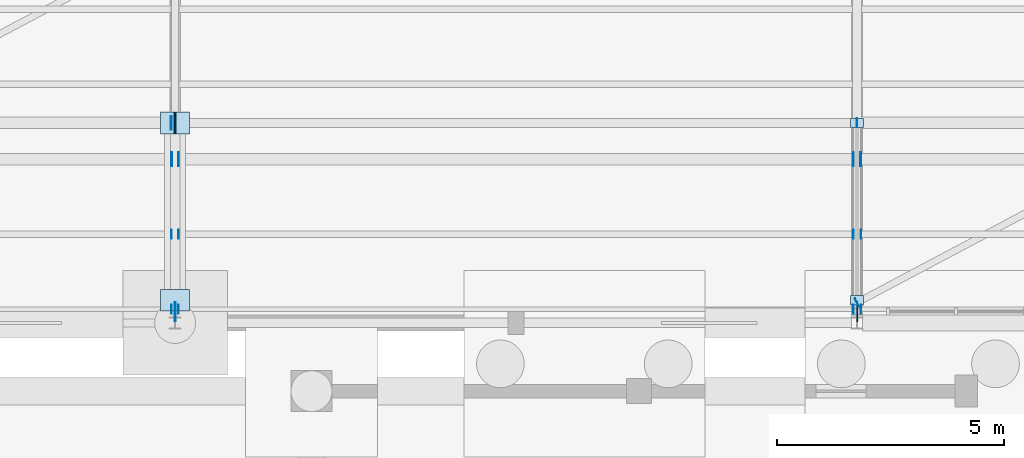
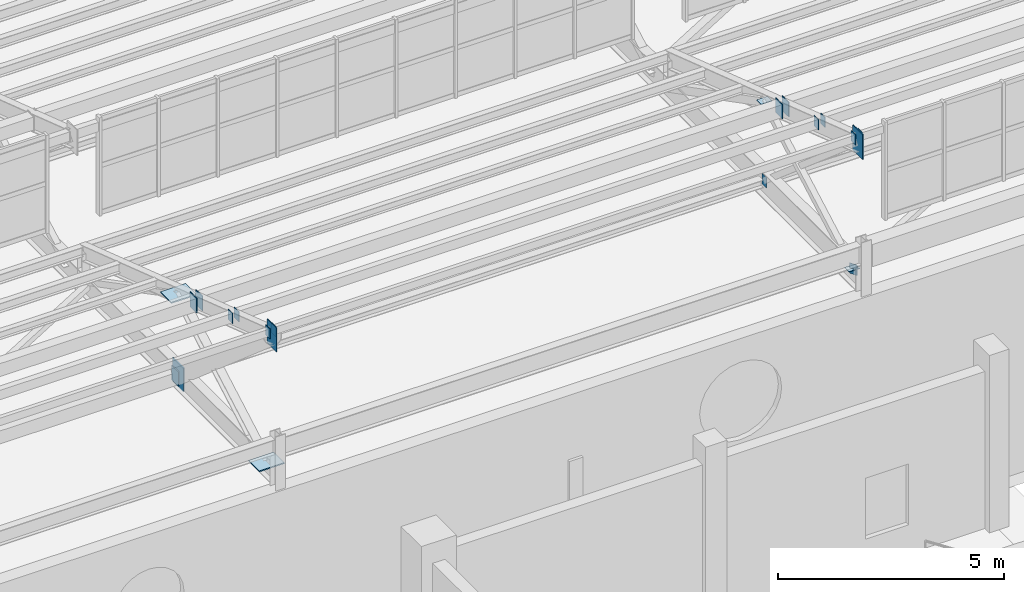
# One storey, part 192 of 285: 22 plates.
"""IFC4 building model written with IfcOpenShell, lengths in metres."""

from ifc_helpers import new_model, si_unit, direction, frame, origin, origin_2d, place, context, subcontext, project, spatial, rectangle, extrude, material, layer, layer_set, type_object, element, save


model = new_model("IFC4")

# Units and contexts
model_context = context("Model", 3, precision=1e-05, world=origin(), true_north=direction((0.0, 1.0)))
body_context = subcontext(model_context, "Body", "Model", "MODEL_VIEW")
ifc_project = project(units=[si_unit("LENGTHUNIT", "METRE"), si_unit("AREAUNIT", "SQUARE_METRE"), si_unit("VOLUMEUNIT", "CUBIC_METRE"), si_unit("PLANEANGLEUNIT", "RADIAN"), si_unit("MASSUNIT", "GRAM", prefix="KILO")], contexts=[model_context])

# Site, building, storey
site_placement = place(None, origin())
site = spatial("IfcSite", under=ifc_project, at=site_placement, CompositionType="ELEMENT")
building_placement = place(site_placement, origin())
building = spatial("IfcBuilding", under=site, at=building_placement, Name="Solanera Park Tramway Depot", CompositionType="ELEMENT")
storey_placement = place(building_placement, origin())
storey = spatial("IfcBuildingStorey", under=building, at=storey_placement, Name="L00", CompositionType="ELEMENT", Elevation=0.0)

# Plates
ifc_material_1 = material(Name="Steel AS/NZS 3679.1 Grade 350", Category="steel")
ifc_layer_1 = layer(ifc_material_1, 0.013916015625)
ifc_layer_set_1 = layer_set([ifc_layer_1], Name="Steel AS/NZS 3679.1 Grade 350")
plate_type_1 = type_object("IfcPlateType", Name="Hollow End Cap and Base Plate 280x200x14", PredefinedType="USERDEFINED", material=ifc_layer_set_1)
plate_1_placement = place(storey_placement, frame((120.0, 59.89990234375, 6.35986328125), z_axis=(0.0, 0.0, 1.0), x_axis=(1.0, 0.0, 0.0)))
element("IfcPlate", 1, at=plate_1_placement, inside=storey, type_object=plate_type_1, Name="Sawtooth Truss Hollow End Cap #0108", ObjectType="BASE PLATE", PredefinedType="USERDEFINED", context=body_context, shape_type="SweptSolid", body=[
    extrude(rectangle(XDim=0.013916015625, YDim=0.199951171875, at=origin_2d()), origin(), (0.0, 0.0, 1.0), 0.280029296875),
])
for number, where, z_axis, x_axis, name in (
    (2, (120.0, 59.89990234375, 8.66064453125), (0.0, 0.0, 1.0), (1.0, 0.0, 0.0), "Sawtooth Truss Node Cap Plate #0110"),
    (3, (120.0, 56.0, 6.4931640625), (0.0, 0.0, 1.0), (1.0, 0.0, 0.0), "Sawtooth Truss Node Cap Plate #0111"),
):
    element("IfcPlate", number, at=place(storey_placement, frame(where, z_axis=z_axis, x_axis=x_axis)), inside=storey, type_object=plate_type_1, Name=name, ObjectType="BASE PLATE", PredefinedType="USERDEFINED", context=body_context, shape_type="SweptSolid", body=[
        extrude(rectangle(XDim=0.280029296875, YDim=0.199951171875, at=origin_2d()), origin(), (0.0, 0.0, 1.0), 0.013916015625),
    ])
for number, where, z_axis, x_axis, name in (
    (4, (104.922119140625, 55.800048828125, 10.033203125), (0.0, 0.0, 1.0), (1.0, 0.0, 0.0), "Hollow Section Welded End Cap Plate #0128"),
    (5, (105.077880859375, 55.800048828125, 10.033203125), (0.0, 0.0, 1.0), (1.0, 0.0, 0.0), "Hollow Section Welded End Cap Plate #0129"),
    (6, (119.915771484375, 55.800048828125, 10.033203125), (0.0, 0.0, 1.0), (1.0, 0.0, 0.0), "Hollow Section Welded End Cap Plate #0130"),
    (7, (120.084228515625, 55.800048828125, 10.033203125), (0.0, 0.0, 1.0), (1.0, 0.0, 0.0), "Hollow Section Welded End Cap Plate #0131"),
    (8, (104.922119140625, 57.449951171875, 9.44775390625), (0.0, 0.0, 1.0), (1.0, 0.0, 0.0), "Hollow Section Welded End Cap Plate #0144"),
    (9, (105.077880859375, 57.449951171875, 9.44775390625), (0.0, 0.0, 1.0), (1.0, 0.0, 0.0), "Hollow Section Welded End Cap Plate #0145"),
    (10, (119.915771484375, 57.449951171875, 9.44775390625), (0.0, 0.0, 1.0), (1.0, 0.0, 0.0), "Hollow Section Welded End Cap Plate #0146"),
    (11, (120.084228515625, 57.449951171875, 9.44775390625), (0.0, 0.0, 1.0), (1.0, 0.0, 0.0), "Hollow Section Welded End Cap Plate #0147"),
    (12, (119.999267578125, 55.948486328125, 6.35986328125), (0.0, 0.0, 1.0), (0.883520501477, 0.468392488698, 0.0), "Hollow Section Welded End Cap Plate #0175"),
):
    element("IfcPlate", number, at=place(storey_placement, frame(where, z_axis=z_axis, x_axis=x_axis)), inside=storey, type_object=plate_type_1, Name=name, ObjectType="BASE PLATE", PredefinedType="USERDEFINED", context=body_context, shape_type="SweptSolid", body=[
        extrude(rectangle(XDim=0.013916015625, YDim=0.199951171875, at=origin_2d()), origin(), (0.0, 0.0, 1.0), 0.280029296875),
    ])
ifc_material_2 = material(Name="Steel AS/NZS 3679.1 Grade 350", Category="steel")
ifc_layer_2 = layer(ifc_material_2, 0.02001953125)
ifc_layer_set_2 = layer_set([ifc_layer_2], Name="Steel AS/NZS 3679.1 Grade 350")
plate_type_2 = type_object("IfcPlateType", Name="Hollow End Cap and Base Plate 400x300x20", PredefinedType="USERDEFINED", material=ifc_layer_set_2)
for number, where, z_axis, x_axis, name in (
    (13, (104.925048828125, 59.10009765625, 8.76904296875), (0.0, 0.0, 1.0), (1.0, 0.0, 0.0), "Hollow Section Welded End Cap Plate #0160"),
    (14, (105.074951171875, 59.10009765625, 8.76904296875), (0.0, 0.0, 1.0), (1.0, 0.0, 0.0), "Hollow Section Welded End Cap Plate #0161"),
    (15, (119.918701171875, 59.10009765625, 8.76904296875), (0.0, 0.0, 1.0), (1.0, 0.0, 0.0), "Hollow Section Welded End Cap Plate #0162"),
    (16, (120.081298828125, 59.10009765625, 8.76904296875), (0.0, 0.0, 1.0), (1.0, 0.0, 0.0), "Hollow Section Welded End Cap Plate #0163"),
    (17, (104.91796875, 59.89990234375, 6.300048828125), (0.0, 0.0, 1.0), (1.0, 0.0, 0.0), "Hollow Section Welded End Cap Plate #0172"),
):
    element("IfcPlate", number, at=place(storey_placement, frame(where, z_axis=z_axis, x_axis=x_axis)), inside=storey, type_object=plate_type_2, Name=name, ObjectType="BASE PLATE", PredefinedType="USERDEFINED", context=body_context, shape_type="SweptSolid", body=[
        extrude(rectangle(XDim=0.02001953125, YDim=0.300048828125, at=origin_2d()), origin(), (0.0, 0.0, 1.0), 0.39990234375),
    ])
ifc_material_3 = material(Name="Steel AS/NZS 3679.1 Grade 350", Category="steel")
ifc_layer_3 = layer(ifc_material_3, 0.031982421875)
ifc_layer_set_3 = layer_set([ifc_layer_3], Name="Steel AS/NZS 3679.1 Grade 350")
plate_type_3 = type_object("IfcPlateType", Name="Hollow End Cap and Base Plate 640x480x32", PredefinedType="USERDEFINED", material=ifc_layer_set_3)
plate_2_placement = place(storey_placement, frame((105.0, 59.89990234375, 6.18017578125), z_axis=(0.0, 0.0, 1.0), x_axis=(1.0, 0.0, 0.0)))
element("IfcPlate", 18, at=plate_2_placement, inside=storey, type_object=plate_type_3, Name="Sawtooth Truss Hollow End Cap #0103", ObjectType="BASE PLATE", PredefinedType="USERDEFINED", context=body_context, shape_type="SweptSolid", body=[
    extrude(rectangle(XDim=0.031982421875, YDim=0.47998046875, at=origin_2d()), origin(), (0.0, 0.0, 1.0), 0.639892578125),
])
for number, where, z_axis, x_axis, name in (
    (19, (105.0, 59.89990234375, 8.67724609375), (0.0, 0.0, 1.0), (1.0, 0.0, 0.0), "Sawtooth Truss Node Cap Plate #0105"),
    (20, (105.0, 56.0, 6.48388671875), (0.0, 0.0, 1.0), (1.0, 0.0, 0.0), "Sawtooth Truss Node Cap Plate #0106"),
):
    element("IfcPlate", number, at=place(storey_placement, frame(where, z_axis=z_axis, x_axis=x_axis)), inside=storey, type_object=plate_type_3, Name=name, ObjectType="BASE PLATE", PredefinedType="USERDEFINED", context=body_context, shape_type="SweptSolid", body=[
        extrude(rectangle(XDim=0.639892578125, YDim=0.47998046875, at=origin_2d()), origin(), (0.0, 0.0, 1.0), 0.031982421875),
    ])
ifc_material_4 = material(Name="Steel AS/NZS 3679.1 Grade 350", Category="steel")
ifc_layer_4 = layer(ifc_material_4, 0.02197265625)
ifc_layer_set_4 = layer_set([ifc_layer_4], Name="Steel AS/NZS 3679.1 Grade 350")
plate_type_4 = type_object("IfcPlateType", Name="Truss Node Gusset Stiffener 640x420x22", PredefinedType="SHEET", material=ifc_layer_set_4)
plate_3_placement = place(storey_placement, frame((105.0, 55.75, 9.76171875), z_axis=(0.0, 0.0, 1.0), x_axis=(1.0, 0.0, 0.0)))
element("IfcPlate", 21, at=plate_3_placement, inside=storey, type_object=plate_type_4, Name="Sawtooth Truss Apex Gusset Plate #0102", PredefinedType="SHEET", context=body_context, shape_type="SweptSolid", body=[
    extrude(rectangle(XDim=0.02197265625, YDim=0.419921875, at=origin_2d()), origin(), (0.0, 0.0, 1.0), 0.639892578125),
])
ifc_material_5 = material(Name="Steel AS/NZS 3679.1 Grade 350", Category="steel")
ifc_layer_5 = layer(ifc_material_5, 0.02392578125)
ifc_layer_set_5 = layer_set([ifc_layer_5], Name="Steel AS/NZS 3679.1 Grade 350")
plate_type_5 = type_object("IfcPlateType", Name="Truss Node Gusset Stiffener 680x440x24", PredefinedType="SHEET", material=ifc_layer_set_5)
plate_4_placement = place(storey_placement, frame((120.0, 55.75, 9.71630859375), z_axis=(0.0, 0.0, 1.0), x_axis=(1.0, 0.0, 0.0)))
element("IfcPlate", 22, at=plate_4_placement, inside=storey, type_object=plate_type_5, Name="Sawtooth Truss Apex Gusset Plate #0107", PredefinedType="SHEET", context=body_context, shape_type="SweptSolid", body=[
    extrude(rectangle(XDim=0.02392578125, YDim=0.43994140625, at=origin_2d()), origin(), (0.0, 0.0, 1.0), 0.679931640625),
])

save(model, "model.ifc")
